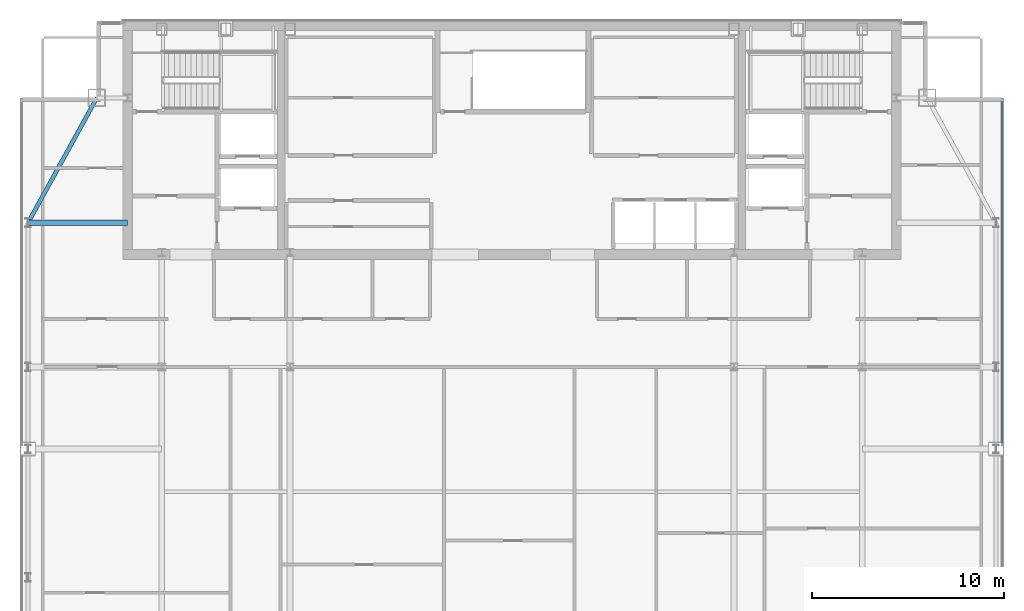
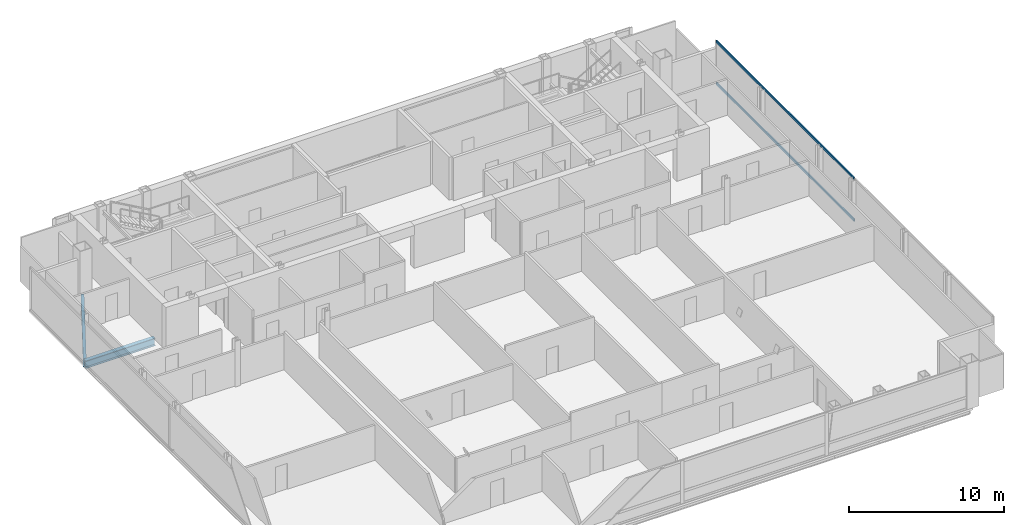
# One storey, part 15 of 24: 2 beams, 2 members, 1 element without a shape of its own.
"""IFC4 building model written with IfcOpenShell, lengths in metres."""

from ifc_helpers import new_model, si_unit, direction, frame, origin, origin_2d, place, context, subcontext, project, spatial, hollow_rectangle, i_section, extrude, material, material_profile, profile_set, type_object, element, aggregate, save


model = new_model("IFC4")

# Units and contexts
model_context = context("Model", 3, precision=1e-05, world=origin(), true_north=direction((0.0, 1.0)))
body_context = subcontext(model_context, "Body", "Model", "MODEL_VIEW")
ifc_project = project(units=[si_unit("LENGTHUNIT", "METRE"), si_unit("AREAUNIT", "SQUARE_METRE"), si_unit("VOLUMEUNIT", "CUBIC_METRE"), si_unit("PLANEANGLEUNIT", "RADIAN"), si_unit("MASSUNIT", "GRAM", prefix="KILO")], contexts=[model_context])

# Site, building, storey
site_placement = place(None, origin())
site = spatial("IfcSite", under=ifc_project, at=site_placement, CompositionType="ELEMENT")
building_placement = place(site_placement, origin())
building = spatial("IfcBuilding", under=site, at=building_placement, Name="Khoronbel Lancet Exchange", CompositionType="ELEMENT")
storey_placement = place(building_placement, frame((0.0, 0.0, 347.0)))
storey = spatial("IfcBuildingStorey", under=building, at=storey_placement, Name="L90", CompositionType="ELEMENT", Elevation=347.0)

# Beams
ifc_material_1 = material(Name="Steel S355", Category="steel")
ifc_material_profile_1 = material_profile(ifc_material_1, i_section(OverallWidth=0.300048828125, OverallDepth=0.60009765625, WebThickness=0.015380859375, FlangeThickness=0.030029296875, at=origin_2d()), Name="HEB 600")
ifc_profile_set_1 = profile_set([ifc_material_profile_1], Name="Steel S355")
beam_type_1 = type_object("IfcBeamType", Name="BM-BG5", PredefinedType="BEAM", material=ifc_profile_set_1)
beam_1_placement = place(storey_placement, frame((11.27001953125, 43.199951171875, -0.4599609375), z_axis=(1.0, 0.0, 0.0), x_axis=(0.0, 1.0, 0.0)))
element("IfcBeam", 1, at=beam_1_placement, inside=storey, type_object=beam_type_1, Name="Level L90 west lens tie girder LG3W", PredefinedType="BEAM", context=body_context, shape_type="SweptSolid", body=[
    extrude(i_section(OverallWidth=0.300048828125, OverallDepth=0.60009765625, WebThickness=0.015380859375, FlangeThickness=0.030029296875, at=origin_2d()), origin(), (0.0, 0.0, 1.0), 5.179931640625),
])
ifc_material_profile_2 = material_profile(ifc_material_1, i_section(OverallWidth=0.2099609375, OverallDepth=0.550048828125, WebThickness=0.010986328125, FlangeThickness=0.01708984375, at=origin_2d()), Name="IPE 550")
ifc_profile_set_2 = profile_set([ifc_material_profile_2], Name="Steel S355")
beam_type_2 = type_object("IfcBeamType", Name="BM-BSP3", PredefinedType="SPANDREL", material=ifc_profile_set_2)
beam_2_placement = place(storey_placement, frame((14.85009765625, 49.699951171875, -0.43505859375), z_axis=(-0.482444051088, -0.875926787791, 0.0), x_axis=(0.875926787791, -0.482444051088, 0.0)))
element("IfcBeam", 2, at=beam_2_placement, inside=storey, type_object=beam_type_2, Name="Level L90 perimeter spandrel beam SP14", PredefinedType="SPANDREL", context=body_context, shape_type="SweptSolid", body=[
    extrude(i_section(OverallWidth=0.2099609375, OverallDepth=0.550048828125, WebThickness=0.010986328125, FlangeThickness=0.01708984375, at=origin_2d()), origin(), (0.0, 0.0, 1.0), 7.420654296875),
])

# Curtain wall, members
ifc_material_2 = material(Name="Low-E Solar Control Insulating Glass", Category="glass")
curtain_wall_type = type_object("IfcCurtainWallType", Name="CW-4", PredefinedType="NOTDEFINED", material=ifc_material_2)
curtain_wall_placement = place(storey_placement, origin())
curtain_wall = element("IfcCurtainWall", 3, at=curtain_wall_placement, inside=storey, type_object=curtain_wall_type, Name="Unitised curtain wall CW-L90-E09", PredefinedType="NOTDEFINED")
ifc_material_3 = material(Name="Bronze-Anodised Aluminium 6063-T6", Category="aluminium")
ifc_material_profile_3 = material_profile(ifc_material_3, hollow_rectangle(XDim=0.0849609375, YDim=0.179931640625, WallThickness=0.0048828125, at=origin_2d()), Name="ALU TRANSOM 85x180")
ifc_profile_set_3 = profile_set([ifc_material_profile_3], Name="Bronze-Anodised Aluminium 6063-T6")
member_type = type_object("IfcMemberType", Name="MEM-CWT1", PredefinedType="USERDEFINED", material=ifc_profile_set_3)
member_1_placement = place(storey_placement, frame((61.9599609375, 49.534912109375, 0.04248046875), z_axis=(0.0, -1.0, 0.0), x_axis=(1.0, 0.0, 0.0)))
member_1 = element("IfcMember", 4, at=member_1_placement, type_object=member_type, Name="CW4 transom 1.1", ObjectType="TRANSOM", PredefinedType="USERDEFINED", context=body_context, shape_type="SweptSolid", body=[
    extrude(hollow_rectangle(XDim=0.0849609375, YDim=0.179931640625, WallThickness=0.0048828125, at=origin_2d()), origin(), (0.0, 0.0, 1.0), 17.79736328125),
])
member_2_placement = place(storey_placement, frame((61.9599609375, 49.534912109375, 3.33740234375), z_axis=(0.0, -1.0, 0.0), x_axis=(1.0, 0.0, 0.0)))
member_2 = element("IfcMember", 5, at=member_2_placement, type_object=member_type, Name="CW4 transom 1.2", ObjectType="TRANSOM", PredefinedType="USERDEFINED", context=body_context, shape_type="SweptSolid", body=[
    extrude(hollow_rectangle(XDim=0.0849609375, YDim=0.179931640625, WallThickness=0.0048828125, at=origin_2d()), origin(), (0.0, 0.0, 1.0), 17.79736328125),
])
aggregate(curtain_wall, [member_1, member_2])

save(model, "model.ifc")
